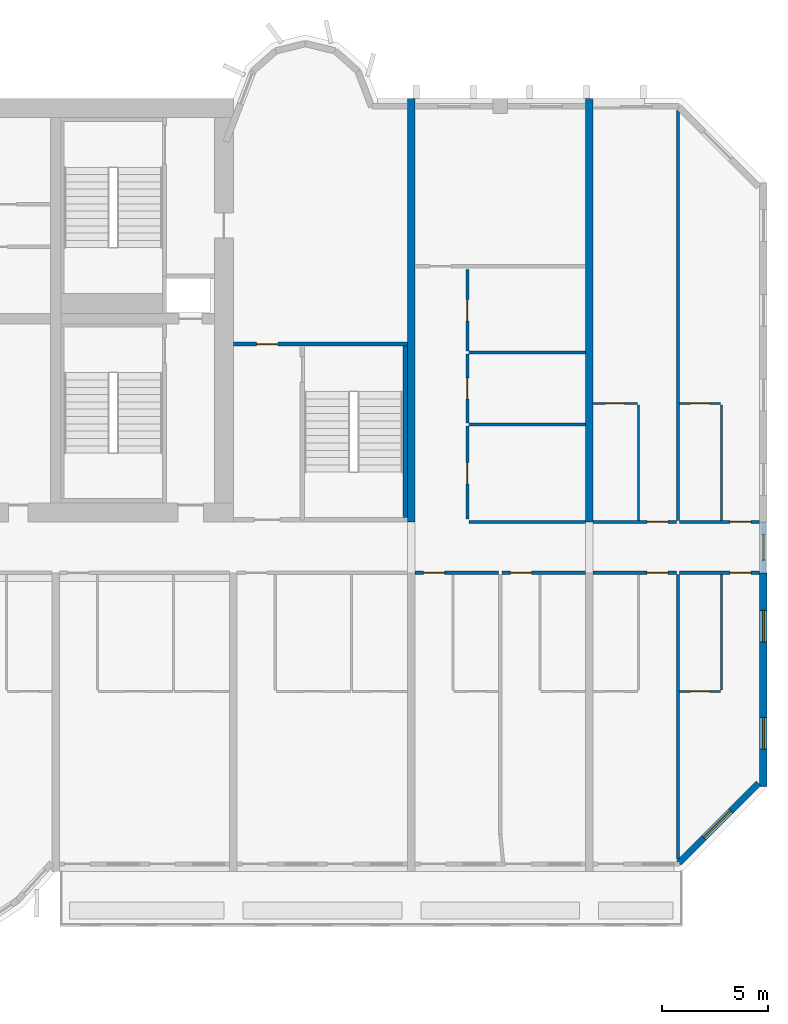
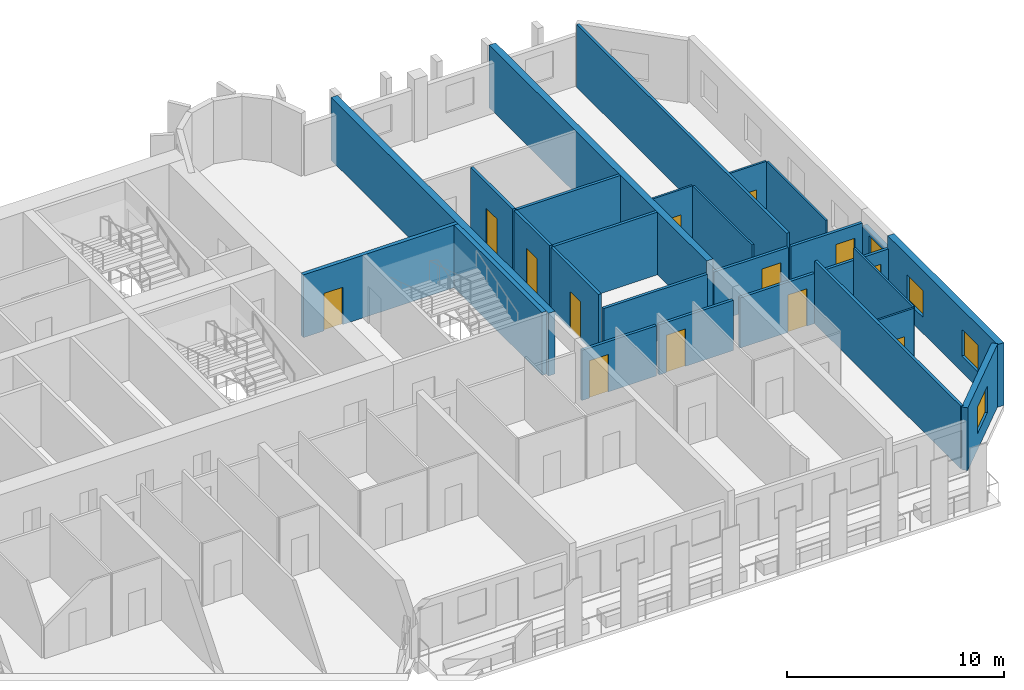
# One storey, part 10 of 15: 27 walls, 13 doors, 4 windows, 17 openings.
"""IFC4 building model written with IfcOpenShell, lengths in metres."""

from ifc_helpers import new_model, si_unit, direction, frame, frame_2d, origin, place, context, subcontext, project, spatial, rectangle, extrude, source, transform, mapped, material, layer, layer_set, type_object, element, fill, save


model = new_model("IFC4")

# Units and contexts
model_context = context("Model", 3, precision=1e-05, world=origin(), true_north=direction((0.0, 1.0)))
body_context = subcontext(model_context, "Body", "Model", "MODEL_VIEW")
ifc_project = project(units=[si_unit("LENGTHUNIT", "METRE"), si_unit("AREAUNIT", "SQUARE_METRE"), si_unit("VOLUMEUNIT", "CUBIC_METRE"), si_unit("PLANEANGLEUNIT", "RADIAN"), si_unit("MASSUNIT", "GRAM", prefix="KILO")], contexts=[model_context])

# Site, building, storey
site_placement = place(None, origin())
site = spatial("IfcSite", under=ifc_project, at=site_placement, CompositionType="ELEMENT")
building_placement = place(site_placement, origin())
building = spatial("IfcBuilding", under=site, at=building_placement, Name="Vanashikhar Sky Hotel", CompositionType="ELEMENT")
storey_placement = place(building_placement, frame((0.0, 0.0, 110.39990234375)))
storey = spatial("IfcBuildingStorey", under=building, at=storey_placement, Name="L26", CompositionType="ELEMENT", Elevation=110.39990234375)

# Wall, openings, windows
ifc_material_1 = material(Name="Concrete M70", Category="concrete")
ifc_layer_1 = layer(ifc_material_1, 0.35009765625)
ifc_layer_set_1 = layer_set([ifc_layer_1], Name="RC shear wall 350 Concrete M70")
wall_type_1 = type_object("IfcWallType", Name="RC shear wall 350 Concrete M70", PredefinedType="SHEAR", material=ifc_layer_set_1)
shared_shape_1 = source(origin(), body_context, "Body", "SweptSolid", [
    extrude(rectangle(XDim=10.10009765625, YDim=0.35009765625, at=frame_2d((5.050048828125, 0.0))), origin(), (0.0, 0.0, 1.0), 3.52001953125),
])
wall_1_placement = place(storey_placement, frame((100.625, 9.5, 0.0), z_axis=(0.0, 0.0, 1.0), x_axis=(0.0, 1.0, 0.0)))
wall_1 = element("IfcWall", 1, at=wall_1_placement, inside=storey, type_object=wall_type_1, Name="CW-L26-XW13-1", PredefinedType="SHEAR", context=body_context, shape_type="MappedRepresentation", body=[
    mapped(shared_shape_1, transform((0.0, 0.0, 0.0), scale=1.0)),
])
shared_shape_2 = source(origin(), body_context, "Body", "SweptSolid", [
    extrude(rectangle(XDim=1.5, YDim=1.5, at=frame_2d((0.75, 0.75))), frame((0.0, 0.18505859375, 0.0), z_axis=(0.0, -1.0, 0.0), x_axis=(1.0, 0.0, 0.0)), (0.0, 0.0, 1.0), 0.3701171875),
])
opening_1_placement = place(wall_1_placement, frame((1.77490234375, 0.0, 0.89990234375)))
opening_1 = element("IfcOpeningElement", 2, at=opening_1_placement, cuts=wall_1, Name="Opening WN-1", PredefinedType="OPENING", context=body_context, shape_type="MappedRepresentation", body=[
    mapped(shared_shape_2, transform((0.0, 0.0, 0.0), scale=1.0)),
])
opening_2_placement = place(wall_1_placement, frame((6.824951171875, 0.0, 0.89990234375)))
opening_2 = element("IfcOpeningElement", 3, at=opening_2_placement, cuts=wall_1, Name="Opening WN-1", PredefinedType="OPENING", context=body_context, shape_type="MappedRepresentation", body=[
    mapped(shared_shape_2, transform((0.0, 0.0, 0.0), scale=1.0)),
])
ifc_material_2 = material(Name="Glass", Category="glass")
window_type_1 = type_object("IfcWindowType", Name="Window 1500 x 1500", PartitioningType="SINGLE_PANEL", PredefinedType="WINDOW", material=ifc_material_2)
shared_shape_3 = source(origin(), body_context, "Body", "SweptSolid", [
    extrude(rectangle(XDim=1.5, YDim=1.5, at=frame_2d((0.75, 0.75))), frame((0.0, 0.030029296875, 0.0), z_axis=(0.0, -1.0, 0.0), x_axis=(1.0, 0.0, 0.0)), (0.0, 0.0, 1.0), 0.06005859375),
])
window_1_placement = place(opening_1_placement, origin())
window_1 = element("IfcWindow", 4, at=window_1_placement, inside=storey, type_object=window_type_1, Name="Window WN-1", OverallHeight=1.5, OverallWidth=1.5, PartitioningType="SINGLE_PANEL", PredefinedType="WINDOW", context=body_context, shape_type="MappedRepresentation", body=[
    mapped(shared_shape_3, transform((0.0, 0.0, 0.0), scale=1.0)),
])
fill(opening_1, window_1)
window_2_placement = place(opening_2_placement, origin())
window_2 = element("IfcWindow", 5, at=window_2_placement, inside=storey, type_object=window_type_1, Name="Window WN-1", OverallHeight=1.5, OverallWidth=1.5, PartitioningType="SINGLE_PANEL", PredefinedType="WINDOW", context=body_context, shape_type="MappedRepresentation", body=[
    mapped(shared_shape_3, transform((0.0, 0.0, 0.0), scale=1.0)),
])
fill(opening_2, window_2)

# Walls
shared_shape_4 = source(origin(), body_context, "Body", "SweptSolid", [
    extrude(rectangle(XDim=20.0, YDim=0.35009765625, at=frame_2d((10.0, 0.0))), origin(), (0.0, 0.0, 1.0), 3.52001953125),
])
for number, where, z_axis, x_axis, name in (
    (6, (84.0, 22.0, 0.0), (0.0, 0.0, 1.0), (0.0, 1.0, 0.0), "CW-L26-XW11-2"),
    (7, (92.39990234375, 22.0, 0.0), (0.0, 0.0, 1.0), (0.0, 1.0, 0.0), "CW-L26-XW12-2"),
):
    element("IfcWall", number, at=place(storey_placement, frame(where, z_axis=z_axis, x_axis=x_axis)), inside=storey, type_object=wall_type_1, Name=name, PredefinedType="SHEAR", context=body_context, shape_type="MappedRepresentation", body=[
        mapped(shared_shape_4, transform((0.0, 0.0, 0.0), scale=1.0)),
    ])

# Wall, opening, window
ifc_material_3 = material(Name="Concrete M50", Category="concrete")
ifc_layer_2 = layer(ifc_material_3, 0.300048828125)
ifc_layer_set_2 = layer_set([ifc_layer_2], Name="Lobe wall 300")
wall_type_2 = type_object("IfcWallType", Name="Lobe wall 300", PredefinedType="SOLIDWALL", material=ifc_layer_set_2)
shared_shape_5 = source(origin(), body_context, "Body", "SweptSolid", [
    extrude(rectangle(XDim=5.32568359375, YDim=0.300048828125, at=frame_2d((2.662841796875, 0.0))), origin(), (0.0, 0.0, 1.0), 3.52001953125),
])
wall_2_placement = place(storey_placement, frame((96.63427734375, 5.89990234375, 0.0), z_axis=(0.0, 0.0, 1.0), x_axis=(0.707083859269, 0.707129702361, 0.0)))
wall_2 = element("IfcWall", 8, at=wall_2_placement, inside=storey, type_object=wall_type_2, Name="Corner wall", PredefinedType="SOLIDWALL", context=body_context, shape_type="MappedRepresentation", body=[
    mapped(shared_shape_5, transform((0.0, 0.0, 0.0), scale=1.0)),
])
shared_shape_6 = source(origin(), body_context, "Body", "SweptSolid", [
    extrude(rectangle(XDim=1.800048828125, YDim=1.5, at=frame_2d((0.89990234375, 0.75))), frame((0.0, 0.16015625, 0.0), z_axis=(0.0, -1.0, 0.0), x_axis=(1.0, 0.0, 0.0)), (0.0, 0.0, 1.0), 0.320068359375),
])
opening_3_placement = place(wall_2_placement, frame((1.671875, 0.0, 0.89990234375)))
opening_3 = element("IfcOpeningElement", 9, at=opening_3_placement, cuts=wall_2, Name="Opening WN-4", PredefinedType="OPENING", context=body_context, shape_type="MappedRepresentation", body=[
    mapped(shared_shape_6, transform((0.0, 0.0, 0.0), scale=1.0)),
])
window_type_2 = type_object("IfcWindowType", Name="Corner window 1800 x 1500", PartitioningType="SINGLE_PANEL", PredefinedType="WINDOW", material=ifc_material_2)
shared_shape_7 = source(origin(), body_context, "Body", "SweptSolid", [
    extrude(rectangle(XDim=1.800048828125, YDim=1.5, at=frame_2d((0.89990234375, 0.75))), frame((0.0, 0.030029296875, 0.0), z_axis=(0.0, -1.0, 0.0), x_axis=(1.0, 0.0, 0.0)), (0.0, 0.0, 1.0), 0.06005859375),
])
window_3_placement = place(opening_3_placement, origin())
window_3 = element("IfcWindow", 10, at=window_3_placement, inside=storey, type_object=window_type_2, Name="Window WN-4", OverallHeight=1.5, OverallWidth=1.800048828125, PartitioningType="SINGLE_PANEL", PredefinedType="WINDOW", context=body_context, shape_type="MappedRepresentation", body=[
    mapped(shared_shape_7, transform((0.0, 0.0, 0.0), scale=1.0)),
])
fill(opening_3, window_3)

ifc_layer_3 = layer(ifc_material_3, 0.25)
ifc_layer_set_3 = layer_set([ifc_layer_3], Name="Rear and end board-marked wall 250")
wall_type_3 = type_object("IfcWallType", Name="Rear and end board-marked wall 250", PredefinedType="SOLIDWALL", material=ifc_layer_set_3)
shared_shape_8 = source(origin(), body_context, "Body", "SweptSolid", [
    extrude(rectangle(XDim=2.39990234375, YDim=0.25, at=frame_2d((1.199951171875, 0.0))), origin(), (0.0, 0.0, 1.0), 2.6201171875),
])
wall_3_placement = place(storey_placement, frame((100.625, 19.60009765625, 0.0), z_axis=(0.0, 0.0, 1.0), x_axis=(0.0, 1.0, 0.0)))
wall_3 = element("IfcWall", 11, at=wall_3_placement, inside=storey, type_object=wall_type_3, Name="End corridor infill wall", PredefinedType="SOLIDWALL", context=body_context, shape_type="MappedRepresentation", body=[
    mapped(shared_shape_8, transform((0.0, 0.0, 0.0), scale=1.0)),
])
shared_shape_9 = source(origin(), body_context, "Body", "SweptSolid", [
    extrude(rectangle(XDim=1.199951171875, YDim=1.5, at=frame_2d((0.60009765625, 0.75))), frame((0.0, 0.135009765625, 0.0), z_axis=(0.0, -1.0, 0.0), x_axis=(1.0, 0.0, 0.0)), (0.0, 0.0, 1.0), 0.27001953125),
])
opening_4_placement = place(wall_3_placement, frame((0.60009765625, 0.0, 0.89990234375)))
opening_4 = element("IfcOpeningElement", 12, at=opening_4_placement, cuts=wall_3, Name="Opening WN-3", PredefinedType="OPENING", context=body_context, shape_type="MappedRepresentation", body=[
    mapped(shared_shape_9, transform((0.0, 0.0, 0.0), scale=1.0)),
])
window_type_3 = type_object("IfcWindowType", Name="Corridor end window 1200 x 1500", PartitioningType="SINGLE_PANEL", PredefinedType="WINDOW", material=ifc_material_2)
shared_shape_10 = source(origin(), body_context, "Body", "SweptSolid", [
    extrude(rectangle(XDim=1.199951171875, YDim=1.5, at=frame_2d((0.60009765625, 0.75))), frame((0.0, 0.030029296875, 0.0), z_axis=(0.0, -1.0, 0.0), x_axis=(1.0, 0.0, 0.0)), (0.0, 0.0, 1.0), 0.06005859375),
])
window_4_placement = place(opening_4_placement, origin())
window_4 = element("IfcWindow", 13, at=window_4_placement, inside=storey, type_object=window_type_3, Name="Window WN-3", OverallHeight=1.5, OverallWidth=1.199951171875, PartitioningType="SINGLE_PANEL", PredefinedType="WINDOW", context=body_context, shape_type="MappedRepresentation", body=[
    mapped(shared_shape_10, transform((0.0, 0.0, 0.0), scale=1.0)),
])
fill(opening_4, window_4)

# Wall, opening, door
ifc_layer_4 = layer(ifc_material_3, 0.199951171875)
ifc_layer_set_4 = layer_set([ifc_layer_4], Name="Stair wall 200")
wall_type_4 = type_object("IfcWallType", Name="Stair wall 200", PredefinedType="SOLIDWALL", material=ifc_layer_set_4)
shared_shape_11 = source(origin(), body_context, "Body", "SweptSolid", [
    extrude(rectangle(XDim=8.224853515625, YDim=0.199951171875, at=frame_2d((4.1123046875, 0.0))), origin(), (0.0, 0.0, 1.0), 3.52001953125),
])
wall_4_placement = place(storey_placement, frame((83.824951171875, 30.39990234375, 0.0), z_axis=(0.0, 0.0, 1.0), x_axis=(-1.0, 0.0, 0.0)))
wall_4 = element("IfcWall", 14, at=wall_4_placement, inside=storey, type_object=wall_type_4, Name="Stair wall 200", PredefinedType="SOLIDWALL", context=body_context, shape_type="MappedRepresentation", body=[
    mapped(shared_shape_11, transform((0.0, 0.0, 0.0), scale=1.0)),
])
shared_shape_12 = source(origin(), body_context, "Body", "SweptSolid", [
    extrude(rectangle(XDim=1.0, YDim=2.10009765625, at=frame_2d((0.5, 1.050048828125))), frame((0.0, 0.10986328125, 0.0), z_axis=(0.0, -1.0, 0.0), x_axis=(1.0, 0.0, 0.0)), (0.0, 0.0, 1.0), 0.219970703125),
])
opening_5_placement = place(wall_4_placement, frame((6.125, 0.0, 0.0)))
opening_5 = element("IfcOpeningElement", 15, at=opening_5_placement, cuts=wall_4, Name="Opening DC-6", PredefinedType="OPENING", context=body_context, shape_type="MappedRepresentation", body=[
    mapped(shared_shape_12, transform((0.0, 0.0, 0.0), scale=1.0)),
])
ifc_material_4 = material(Name="Steel", Category="steel")
door_type_1 = type_object("IfcDoorType", Name="Pocket door 1000 FD60", OperationType="NOTDEFINED", PredefinedType="DOOR", material=ifc_material_4)
shared_shape_13 = source(origin(), body_context, "Body", "SweptSolid", [
    extrude(rectangle(XDim=1.0, YDim=2.10009765625, at=frame_2d((0.5, 1.050048828125))), frame((0.0, 0.02490234375, 0.0), z_axis=(0.0, -1.0, 0.0), x_axis=(1.0, 0.0, 0.0)), (0.0, 0.0, 1.0), 0.050048828125),
])
door_1_placement = place(opening_5_placement, origin())
door_1 = element("IfcDoor", 16, at=door_1_placement, inside=storey, type_object=door_type_1, Name="Pocket door 1000 FD60", OperationType="SINGLE_SWING_RIGHT", OverallHeight=2.10009765625, OverallWidth=1.0, PredefinedType="DOOR", context=body_context, shape_type="MappedRepresentation", body=[
    mapped(shared_shape_13, transform((0.0, 0.0, 0.0), scale=1.0)),
])
fill(opening_5, door_1)

# Wall
ifc_layer_5 = layer(ifc_material_3, 0.22509765625)
ifc_layer_set_5 = layer_set([ifc_layer_5], Name="Stair infill wall 225")
wall_type_5 = type_object("IfcWallType", Name="Stair infill wall 225", PredefinedType="SOLIDWALL", material=ifc_layer_set_5)
shared_shape_14 = source(origin(), body_context, "Body", "SweptSolid", [
    extrude(rectangle(XDim=8.10009765625, YDim=0.22509765625, at=frame_2d((4.050048828125, 0.0))), origin(), (0.0, 0.0, 1.0), 3.52001953125),
])
wall_5_placement = place(storey_placement, frame((83.712890625, 22.199951171875, 0.0), z_axis=(0.0, 0.0, 1.0), x_axis=(0.0, 1.0, 0.0)))
element("IfcWall", 17, at=wall_5_placement, inside=storey, type_object=wall_type_5, Name="Stair infill wall 225", PredefinedType="SOLIDWALL", context=body_context, shape_type="MappedRepresentation", body=[
    mapped(shared_shape_14, transform((0.0, 0.0, 0.0), scale=1.0)),
])

# Wall, opening, door
ifc_material_5 = material(Name="Gypsum plasterboard partition")
ifc_layer_6 = layer(ifc_material_5, 0.14990234375)
ifc_layer_set_6 = layer_set([ifc_layer_6], Name="Corridor and demising partition 150")
wall_type_6 = type_object("IfcWallType", Name="Corridor and demising partition 150", PredefinedType="PARTITIONING", material=ifc_layer_set_6)
shared_shape_15 = source(origin(), body_context, "Body", "SweptSolid", [
    extrude(rectangle(XDim=4.375, YDim=0.14990234375, at=frame_2d((2.1875, 0.0))), origin(), (0.0, 0.0, 1.0), 3.52001953125),
])
wall_6_placement = place(storey_placement, frame((86.64990234375, 22.14990234375, 0.0), z_axis=(0.0, 0.0, 1.0), x_axis=(0.0, 1.0, 0.0)))
wall_6 = element("IfcWall", 18, at=wall_6_placement, inside=storey, type_object=wall_type_6, Name="W-L26-PW096", PredefinedType="PARTITIONING", context=body_context, shape_type="MappedRepresentation", body=[
    mapped(shared_shape_15, transform((0.0, 0.0, 0.0), scale=1.0)),
])
shared_shape_16 = source(origin(), body_context, "Body", "SweptSolid", [
    extrude(rectangle(XDim=1.0, YDim=2.10009765625, at=frame_2d((0.5, 1.050048828125))), frame((0.0, 0.0849609375, 0.0), z_axis=(0.0, -1.0, 0.0), x_axis=(1.0, 0.0, 0.0)), (0.0, 0.0, 1.0), 0.169921875),
])
opening_6_placement = place(wall_6_placement, frame((1.64990234375, 0.0, 0.0)))
opening_6 = element("IfcOpeningElement", 19, at=opening_6_placement, cuts=wall_6, Name="Opening D-01", PredefinedType="OPENING", context=body_context, shape_type="MappedRepresentation", body=[
    mapped(shared_shape_16, transform((0.0, 0.0, 0.0), scale=1.0)),
])
ifc_material_6 = material(Name="Timber fire door", Category="wood")
door_type_2 = type_object("IfcDoorType", Name="Guest entry door 1000 FD30S", OperationType="NOTDEFINED", PredefinedType="DOOR", material=ifc_material_6)
door_2_placement = place(opening_6_placement, origin())
door_2 = element("IfcDoor", 20, at=door_2_placement, inside=storey, type_object=door_type_2, Name="D-L26-054", OperationType="SINGLE_SWING_LEFT", OverallHeight=2.10009765625, OverallWidth=1.0, PredefinedType="DOOR", context=body_context, shape_type="MappedRepresentation", body=[
    mapped(shared_shape_13, transform((0.0, 0.0, 0.0), scale=1.0)),
])
fill(opening_6, door_2)

shared_shape_17 = source(origin(), body_context, "Body", "SweptSolid", [
    extrude(rectangle(XDim=3.25, YDim=0.14990234375, at=frame_2d((1.625, 0.0))), origin(), (0.0, 0.0, 1.0), 3.52001953125),
])
wall_7_placement = place(storey_placement, frame((86.64990234375, 26.675048828125, 0.0), z_axis=(0.0, 0.0, 1.0), x_axis=(0.0, 1.0, 0.0)))
wall_7 = element("IfcWall", 21, at=wall_7_placement, inside=storey, type_object=wall_type_6, Name="W-L26-PW098", PredefinedType="PARTITIONING", context=body_context, shape_type="MappedRepresentation", body=[
    mapped(shared_shape_17, transform((0.0, 0.0, 0.0), scale=1.0)),
])
opening_7_placement = place(wall_7_placement, frame((1.125, 0.0, 0.0)))
opening_7 = element("IfcOpeningElement", 22, at=opening_7_placement, cuts=wall_7, Name="Opening D-01", PredefinedType="OPENING", context=body_context, shape_type="MappedRepresentation", body=[
    mapped(shared_shape_16, transform((0.0, 0.0, 0.0), scale=1.0)),
])
door_3_placement = place(opening_7_placement, origin())
door_3 = element("IfcDoor", 23, at=door_3_placement, inside=storey, type_object=door_type_2, Name="D-L26-055", OperationType="SINGLE_SWING_LEFT", OverallHeight=2.10009765625, OverallWidth=1.0, PredefinedType="DOOR", context=body_context, shape_type="MappedRepresentation", body=[
    mapped(shared_shape_13, transform((0.0, 0.0, 0.0), scale=1.0)),
])
fill(opening_7, door_3)

shared_shape_18 = source(origin(), body_context, "Body", "SweptSolid", [
    extrude(rectangle(XDim=3.85009765625, YDim=0.14990234375, at=frame_2d((1.925048828125, 0.0))), origin(), (0.0, 0.0, 1.0), 3.52001953125),
])
wall_8_placement = place(storey_placement, frame((86.64990234375, 30.074951171875, 0.0), z_axis=(0.0, 0.0, 1.0), x_axis=(0.0, 1.0, 0.0)))
wall_8 = element("IfcWall", 24, at=wall_8_placement, inside=storey, type_object=wall_type_6, Name="W-L26-PW100", PredefinedType="PARTITIONING", context=body_context, shape_type="MappedRepresentation", body=[
    mapped(shared_shape_18, transform((0.0, 0.0, 0.0), scale=1.0)),
])
opening_8_placement = place(wall_8_placement, frame((1.425048828125, 0.0, 0.0)))
opening_8 = element("IfcOpeningElement", 25, at=opening_8_placement, cuts=wall_8, Name="Opening D-01", PredefinedType="OPENING", context=body_context, shape_type="MappedRepresentation", body=[
    mapped(shared_shape_16, transform((0.0, 0.0, 0.0), scale=1.0)),
])
door_4_placement = place(opening_8_placement, origin())
door_4 = element("IfcDoor", 26, at=door_4_placement, inside=storey, type_object=door_type_2, Name="D-L26-056", OperationType="SINGLE_SWING_LEFT", OverallHeight=2.10009765625, OverallWidth=1.0, PredefinedType="DOOR", context=body_context, shape_type="MappedRepresentation", body=[
    mapped(shared_shape_13, transform((0.0, 0.0, 0.0), scale=1.0)),
])
fill(opening_8, door_4)

# Walls
shared_shape_19 = source(origin(), body_context, "Body", "SweptSolid", [
    extrude(rectangle(XDim=19.34716796875, YDim=0.14990234375, at=frame_2d((9.673583984375, 0.0))), origin(), (0.0, 0.0, 1.0), 3.52001953125),
])
wall_9_placement = place(storey_placement, frame((96.60009765625, 22.074951171875, 0.0), z_axis=(0.0, 0.0, 1.0), x_axis=(0.0, 1.0, 0.0)))
element("IfcWall", 27, at=wall_9_placement, inside=storey, type_object=wall_type_6, Name="W-L26-PW108", PredefinedType="PARTITIONING", context=body_context, shape_type="MappedRepresentation", body=[
    mapped(shared_shape_19, transform((0.0, 0.0, 0.0), scale=1.0)),
])
ifc_layer_7 = layer(ifc_material_5, 0.10009765625)
ifc_layer_set_7 = layer_set([ifc_layer_7], Name="Wet room partition 100")
wall_type_7 = type_object("IfcWallType", Name="Wet room partition 100", PredefinedType="PARTITIONING", material=ifc_layer_set_7)
shared_shape_20 = source(origin(), body_context, "Body", "SweptSolid", [
    extrude(rectangle(XDim=5.449951171875, YDim=0.10009765625, at=frame_2d((2.72509765625, 0.0))), origin(), (0.0, 0.0, 1.0), 3.52001953125),
])
for number, where, z_axis, x_axis, name in (
    (28, (98.64990234375, 14.074951171875, 0.0), (0.0, 0.0, 1.0), (0.0, 1.0, 0.0), "W-L26-PW075"),
    (29, (94.72509765625, 22.074951171875, 0.0), (0.0, 0.0, 1.0), (0.0, 1.0, 0.0), "W-L26-PW102"),
    (30, (98.64990234375, 22.074951171875, 0.0), (0.0, 0.0, 1.0), (0.0, 1.0, 0.0), "W-L26-PW105"),
):
    element("IfcWall", number, at=place(storey_placement, frame(where, z_axis=z_axis, x_axis=x_axis)), inside=storey, type_object=wall_type_7, Name=name, PredefinedType="PARTITIONING", context=body_context, shape_type="MappedRepresentation", body=[
        mapped(shared_shape_20, transform((0.0, 0.0, 0.0), scale=1.0)),
    ])

# Wall, opening, door
shared_shape_21 = source(origin(), body_context, "Body", "SweptSolid", [
    extrude(rectangle(XDim=1.925048828125, YDim=0.10009765625, at=frame_2d((0.96240234375, 0.0))), origin(), (0.0, 0.0, 1.0), 3.52001953125),
])
wall_10_placement = place(storey_placement, frame((96.675048828125, 14.0, 0.0), z_axis=(0.0, 0.0, 1.0), x_axis=(1.0, 0.0, 0.0)))
wall_10 = element("IfcWall", 31, at=wall_10_placement, inside=storey, type_object=wall_type_7, Name="W-L26-PW076", PredefinedType="PARTITIONING", context=body_context, shape_type="MappedRepresentation", body=[
    mapped(shared_shape_21, transform((0.0, 0.0, 0.0), scale=1.0)),
])
shared_shape_22 = source(origin(), body_context, "Body", "SweptSolid", [
    extrude(rectangle(XDim=0.89990234375, YDim=2.10009765625, at=frame_2d((0.449951171875, 1.050048828125))), frame((0.0, 0.06005859375, 0.0), z_axis=(0.0, -1.0, 0.0), x_axis=(1.0, 0.0, 0.0)), (0.0, 0.0, 1.0), 0.1201171875),
])
opening_9_placement = place(wall_10_placement, frame((0.512939453125, 0.0, 0.0)))
opening_9 = element("IfcOpeningElement", 32, at=opening_9_placement, cuts=wall_10, Name="Opening D-02", PredefinedType="OPENING", context=body_context, shape_type="MappedRepresentation", body=[
    mapped(shared_shape_22, transform((0.0, 0.0, 0.0), scale=1.0)),
])
ifc_material_7 = material(Name="Timber door", Category="wood")
door_type_3 = type_object("IfcDoorType", Name="Internal door 900", OperationType="NOTDEFINED", PredefinedType="DOOR", material=ifc_material_7)
shared_shape_23 = source(origin(), body_context, "Body", "SweptSolid", [
    extrude(rectangle(XDim=0.89990234375, YDim=2.10009765625, at=frame_2d((0.449951171875, 1.050048828125))), frame((0.0, 0.02490234375, 0.0), z_axis=(0.0, -1.0, 0.0), x_axis=(1.0, 0.0, 0.0)), (0.0, 0.0, 1.0), 0.050048828125),
])
door_5_placement = place(opening_9_placement, origin())
door_5 = element("IfcDoor", 33, at=door_5_placement, inside=storey, type_object=door_type_3, Name="D-L26-044", OperationType="SINGLE_SWING_RIGHT", OverallHeight=2.10009765625, OverallWidth=0.89990234375, PredefinedType="DOOR", context=body_context, shape_type="MappedRepresentation", body=[
    mapped(shared_shape_23, transform((0.0, 0.0, 0.0), scale=1.0)),
])
fill(opening_9, door_5)

wall_11_placement = place(storey_placement, frame((96.675048828125, 27.60009765625, 0.0), z_axis=(0.0, 0.0, 1.0), x_axis=(1.0, 0.0, 0.0)))
wall_11 = element("IfcWall", 34, at=wall_11_placement, inside=storey, type_object=wall_type_7, Name="W-L26-PW106", PredefinedType="PARTITIONING", context=body_context, shape_type="MappedRepresentation", body=[
    mapped(shared_shape_21, transform((0.0, 0.0, 0.0), scale=1.0)),
])
opening_10_placement = place(wall_11_placement, frame((0.512939453125, 0.0, 0.0)))
opening_10 = element("IfcOpeningElement", 35, at=opening_10_placement, cuts=wall_11, Name="Opening D-02", PredefinedType="OPENING", context=body_context, shape_type="MappedRepresentation", body=[
    mapped(shared_shape_22, transform((0.0, 0.0, 0.0), scale=1.0)),
])
door_6_placement = place(opening_10_placement, origin())
door_6 = element("IfcDoor", 36, at=door_6_placement, inside=storey, type_object=door_type_3, Name="D-L26-060", OperationType="SINGLE_SWING_RIGHT", OverallHeight=2.10009765625, OverallWidth=0.89990234375, PredefinedType="DOOR", context=body_context, shape_type="MappedRepresentation", body=[
    mapped(shared_shape_23, transform((0.0, 0.0, 0.0), scale=1.0)),
])
fill(opening_10, door_6)

shared_shape_24 = source(origin(), body_context, "Body", "SweptSolid", [
    extrude(rectangle(XDim=3.77490234375, YDim=0.14990234375, at=frame_2d((1.887451171875, 0.0))), origin(), (0.0, 0.0, 1.0), 2.820068359375),
])
wall_12_placement = place(storey_placement, frame((96.675048828125, 19.60009765625, 0.0), z_axis=(0.0, 0.0, 1.0), x_axis=(1.0, 0.0, 0.0)))
wall_12 = element("IfcWall", 37, at=wall_12_placement, inside=storey, type_object=wall_type_6, Name="W-L26-PW077", PredefinedType="PARTITIONING", context=body_context, shape_type="MappedRepresentation", body=[
    mapped(shared_shape_24, transform((0.0, 0.0, 0.0), scale=1.0)),
])
opening_11_placement = place(wall_12_placement, frame((2.375, 0.0, 0.0)))
opening_11 = element("IfcOpeningElement", 38, at=opening_11_placement, cuts=wall_12, Name="Opening D-01", PredefinedType="OPENING", context=body_context, shape_type="MappedRepresentation", body=[
    mapped(shared_shape_16, transform((0.0, 0.0, 0.0), scale=1.0)),
])
door_7_placement = place(opening_11_placement, origin())
door_7 = element("IfcDoor", 39, at=door_7_placement, inside=storey, type_object=door_type_2, Name="D-L26-045", OperationType="SINGLE_SWING_RIGHT", OverallHeight=2.10009765625, OverallWidth=1.0, PredefinedType="DOOR", context=body_context, shape_type="MappedRepresentation", body=[
    mapped(shared_shape_13, transform((0.0, 0.0, 0.0), scale=1.0)),
])
fill(opening_11, door_7)

wall_13_placement = place(storey_placement, frame((96.675048828125, 22.0, 0.0), z_axis=(0.0, 0.0, 1.0), x_axis=(1.0, 0.0, 0.0)))
wall_13 = element("IfcWall", 40, at=wall_13_placement, inside=storey, type_object=wall_type_6, Name="W-L26-PW107", PredefinedType="PARTITIONING", context=body_context, shape_type="MappedRepresentation", body=[
    mapped(shared_shape_24, transform((0.0, 0.0, 0.0), scale=1.0)),
])
opening_12_placement = place(wall_13_placement, frame((2.375, 0.0, 0.0)))
opening_12 = element("IfcOpeningElement", 41, at=opening_12_placement, cuts=wall_13, Name="Opening D-01", PredefinedType="OPENING", context=body_context, shape_type="MappedRepresentation", body=[
    mapped(shared_shape_16, transform((0.0, 0.0, 0.0), scale=1.0)),
])
door_8_placement = place(opening_12_placement, origin())
door_8 = element("IfcDoor", 42, at=door_8_placement, inside=storey, type_object=door_type_2, Name="D-L26-061", OperationType="SINGLE_SWING_RIGHT", OverallHeight=2.10009765625, OverallWidth=1.0, PredefinedType="DOOR", context=body_context, shape_type="MappedRepresentation", body=[
    mapped(shared_shape_13, transform((0.0, 0.0, 0.0), scale=1.0)),
])
fill(opening_12, door_8)

shared_shape_25 = source(origin(), body_context, "Body", "SweptSolid", [
    extrude(rectangle(XDim=2.10009765625, YDim=0.10009765625, at=frame_2d((1.050048828125, 0.0))), origin(), (0.0, 0.0, 1.0), 3.52001953125),
])
wall_14_placement = place(storey_placement, frame((92.574951171875, 27.60009765625, 0.0), z_axis=(0.0, 0.0, 1.0), x_axis=(1.0, 0.0, 0.0)))
wall_14 = element("IfcWall", 43, at=wall_14_placement, inside=storey, type_object=wall_type_7, Name="W-L26-PW103", PredefinedType="PARTITIONING", context=body_context, shape_type="MappedRepresentation", body=[
    mapped(shared_shape_25, transform((0.0, 0.0, 0.0), scale=1.0)),
])
opening_13_placement = place(wall_14_placement, frame((0.60009765625, 0.0, 0.0)))
opening_13 = element("IfcOpeningElement", 44, at=opening_13_placement, cuts=wall_14, Name="Opening D-02", PredefinedType="OPENING", context=body_context, shape_type="MappedRepresentation", body=[
    mapped(shared_shape_22, transform((0.0, 0.0, 0.0), scale=1.0)),
])
door_9_placement = place(opening_13_placement, origin())
door_9 = element("IfcDoor", 45, at=door_9_placement, inside=storey, type_object=door_type_3, Name="D-L26-058", OperationType="SINGLE_SWING_RIGHT", OverallHeight=2.10009765625, OverallWidth=0.89990234375, PredefinedType="DOOR", context=body_context, shape_type="MappedRepresentation", body=[
    mapped(shared_shape_23, transform((0.0, 0.0, 0.0), scale=1.0)),
])
fill(opening_13, door_9)

shared_shape_26 = source(origin(), body_context, "Body", "SweptSolid", [
    extrude(rectangle(XDim=3.9501953125, YDim=0.14990234375, at=frame_2d((1.97509765625, 0.0))), origin(), (0.0, 0.0, 1.0), 2.820068359375),
])
wall_15_placement = place(storey_placement, frame((88.27490234375, 19.60009765625, 0.0), z_axis=(0.0, 0.0, 1.0), x_axis=(1.0, 0.0, 0.0)))
wall_15 = element("IfcWall", 46, at=wall_15_placement, inside=storey, type_object=wall_type_6, Name="W-L26-PW070", PredefinedType="PARTITIONING", context=body_context, shape_type="MappedRepresentation", body=[
    mapped(shared_shape_26, transform((0.0, 0.0, 0.0), scale=1.0)),
])
opening_14_placement = place(wall_15_placement, frame((0.39990234375, 0.0, 0.0)))
opening_14 = element("IfcOpeningElement", 47, at=opening_14_placement, cuts=wall_15, Name="Opening D-01", PredefinedType="OPENING", context=body_context, shape_type="MappedRepresentation", body=[
    mapped(shared_shape_16, transform((0.0, 0.0, 0.0), scale=1.0)),
])
door_10_placement = place(opening_14_placement, origin())
door_10 = element("IfcDoor", 48, at=door_10_placement, inside=storey, type_object=door_type_2, Name="D-L26-041", OperationType="SINGLE_SWING_LEFT", OverallHeight=2.10009765625, OverallWidth=1.0, PredefinedType="DOOR", context=body_context, shape_type="MappedRepresentation", body=[
    mapped(shared_shape_13, transform((0.0, 0.0, 0.0), scale=1.0)),
])
fill(opening_14, door_10)

# Wall
shared_shape_27 = source(origin(), body_context, "Body", "SweptSolid", [
    extrude(rectangle(XDim=13.447021484375, YDim=0.14990234375, at=frame_2d((6.7236328125, 0.0))), origin(), (0.0, 0.0, 1.0), 3.52001953125),
])
wall_16_placement = place(storey_placement, frame((96.60009765625, 6.077880859375, 0.0), z_axis=(0.0, 0.0, 1.0), x_axis=(0.0, 1.0, 0.0)))
element("IfcWall", 49, at=wall_16_placement, inside=storey, type_object=wall_type_6, Name="W-L26-PW078", PredefinedType="PARTITIONING", context=body_context, shape_type="MappedRepresentation", body=[
    mapped(shared_shape_27, transform((0.0, 0.0, 0.0), scale=1.0)),
])

# Wall, opening, door
shared_shape_28 = source(origin(), body_context, "Body", "SweptSolid", [
    extrude(rectangle(XDim=3.949951171875, YDim=0.14990234375, at=frame_2d((1.97509765625, 0.0))), origin(), (0.0, 0.0, 1.0), 2.820068359375),
])
wall_17_placement = place(storey_placement, frame((84.175048828125, 19.60009765625, 0.0), z_axis=(0.0, 0.0, 1.0), x_axis=(1.0, 0.0, 0.0)))
wall_17 = element("IfcWall", 50, at=wall_17_placement, inside=storey, type_object=wall_type_6, Name="W-L26-PW067", PredefinedType="PARTITIONING", context=body_context, shape_type="MappedRepresentation", body=[
    mapped(shared_shape_28, transform((0.0, 0.0, 0.0), scale=1.0)),
])
opening_15_placement = place(wall_17_placement, frame((0.39990234375, 0.0, 0.0)))
opening_15 = element("IfcOpeningElement", 51, at=opening_15_placement, cuts=wall_17, Name="Opening D-01", PredefinedType="OPENING", context=body_context, shape_type="MappedRepresentation", body=[
    mapped(shared_shape_16, transform((0.0, 0.0, 0.0), scale=1.0)),
])
door_11_placement = place(opening_15_placement, origin())
door_11 = element("IfcDoor", 52, at=door_11_placement, inside=storey, type_object=door_type_2, Name="D-L26-039", OperationType="SINGLE_SWING_LEFT", OverallHeight=2.10009765625, OverallWidth=1.0, PredefinedType="DOOR", context=body_context, shape_type="MappedRepresentation", body=[
    mapped(shared_shape_13, transform((0.0, 0.0, 0.0), scale=1.0)),
])
fill(opening_15, door_11)

wall_18_placement = place(storey_placement, frame((92.574951171875, 19.60009765625, 0.0), z_axis=(0.0, 0.0, 1.0), x_axis=(1.0, 0.0, 0.0)))
wall_18 = element("IfcWall", 53, at=wall_18_placement, inside=storey, type_object=wall_type_6, Name="W-L26-PW074", PredefinedType="PARTITIONING", context=body_context, shape_type="MappedRepresentation", body=[
    mapped(shared_shape_28, transform((0.0, 0.0, 0.0), scale=1.0)),
])
opening_16_placement = place(wall_18_placement, frame((2.550048828125, 0.0, 0.0)))
opening_16 = element("IfcOpeningElement", 54, at=opening_16_placement, cuts=wall_18, Name="Opening D-01", PredefinedType="OPENING", context=body_context, shape_type="MappedRepresentation", body=[
    mapped(shared_shape_16, transform((0.0, 0.0, 0.0), scale=1.0)),
])
door_12_placement = place(opening_16_placement, origin())
door_12 = element("IfcDoor", 55, at=door_12_placement, inside=storey, type_object=door_type_2, Name="D-L26-043", OperationType="SINGLE_SWING_RIGHT", OverallHeight=2.10009765625, OverallWidth=1.0, PredefinedType="DOOR", context=body_context, shape_type="MappedRepresentation", body=[
    mapped(shared_shape_13, transform((0.0, 0.0, 0.0), scale=1.0)),
])
fill(opening_16, door_12)

wall_19_placement = place(storey_placement, frame((92.574951171875, 22.0, 0.0), z_axis=(0.0, 0.0, 1.0), x_axis=(1.0, 0.0, 0.0)))
wall_19 = element("IfcWall", 56, at=wall_19_placement, inside=storey, type_object=wall_type_6, Name="W-L26-PW104", PredefinedType="PARTITIONING", context=body_context, shape_type="MappedRepresentation", body=[
    mapped(shared_shape_28, transform((0.0, 0.0, 0.0), scale=1.0)),
])
opening_17_placement = place(wall_19_placement, frame((2.550048828125, 0.0, 0.0)))
opening_17 = element("IfcOpeningElement", 57, at=opening_17_placement, cuts=wall_19, Name="Opening D-01", PredefinedType="OPENING", context=body_context, shape_type="MappedRepresentation", body=[
    mapped(shared_shape_16, transform((0.0, 0.0, 0.0), scale=1.0)),
])
door_13_placement = place(opening_17_placement, origin())
door_13 = element("IfcDoor", 58, at=door_13_placement, inside=storey, type_object=door_type_2, Name="D-L26-059", OperationType="SINGLE_SWING_RIGHT", OverallHeight=2.10009765625, OverallWidth=1.0, PredefinedType="DOOR", context=body_context, shape_type="MappedRepresentation", body=[
    mapped(shared_shape_13, transform((0.0, 0.0, 0.0), scale=1.0)),
])
fill(opening_17, door_13)

# Walls
shared_shape_29 = source(origin(), body_context, "Body", "SweptSolid", [
    extrude(rectangle(XDim=5.5, YDim=0.14990234375, at=frame_2d((2.75, 0.0))), origin(), (0.0, 0.0, 1.0), 2.820068359375),
])
wall_20_placement = place(storey_placement, frame((86.72509765625, 22.0, 0.0), z_axis=(0.0, 0.0, 1.0), x_axis=(1.0, 0.0, 0.0)))
element("IfcWall", 59, at=wall_20_placement, inside=storey, type_object=wall_type_6, Name="W-L26-PW095", PredefinedType="PARTITIONING", context=body_context, shape_type="MappedRepresentation", body=[
    mapped(shared_shape_29, transform((0.0, 0.0, 0.0), scale=1.0)),
])
shared_shape_30 = source(origin(), body_context, "Body", "SweptSolid", [
    extrude(rectangle(XDim=5.5, YDim=0.14990234375, at=frame_2d((2.75, 0.0))), origin(), (0.0, 0.0, 1.0), 3.52001953125),
])
for number, where, z_axis, x_axis, name in (
    (60, (86.72509765625, 26.60009765625, 0.0), (0.0, 0.0, 1.0), (1.0, 0.0, 0.0), "W-L26-PW097"),
    (61, (86.72509765625, 30.0, 0.0), (0.0, 0.0, 1.0), (1.0, 0.0, 0.0), "W-L26-PW099"),
):
    element("IfcWall", number, at=place(storey_placement, frame(where, z_axis=z_axis, x_axis=x_axis)), inside=storey, type_object=wall_type_6, Name=name, PredefinedType="PARTITIONING", context=body_context, shape_type="MappedRepresentation", body=[
        mapped(shared_shape_30, transform((0.0, 0.0, 0.0), scale=1.0)),
    ])

save(model, "model.ifc")
